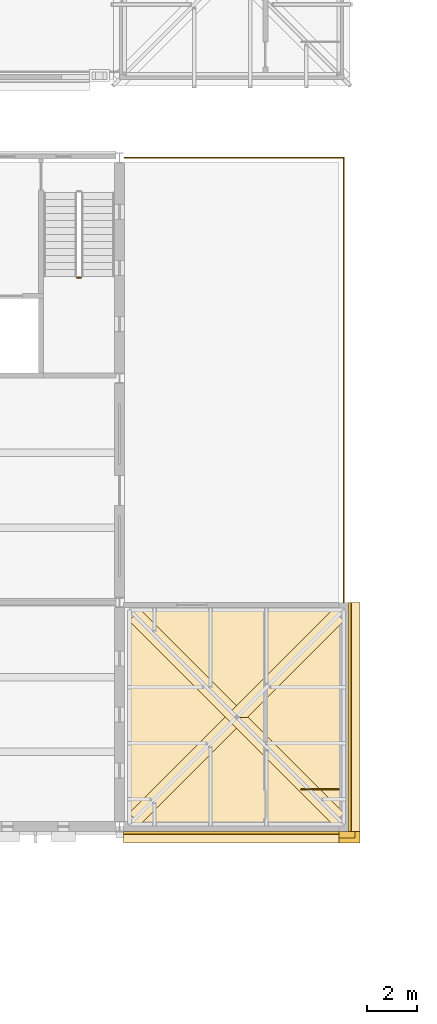
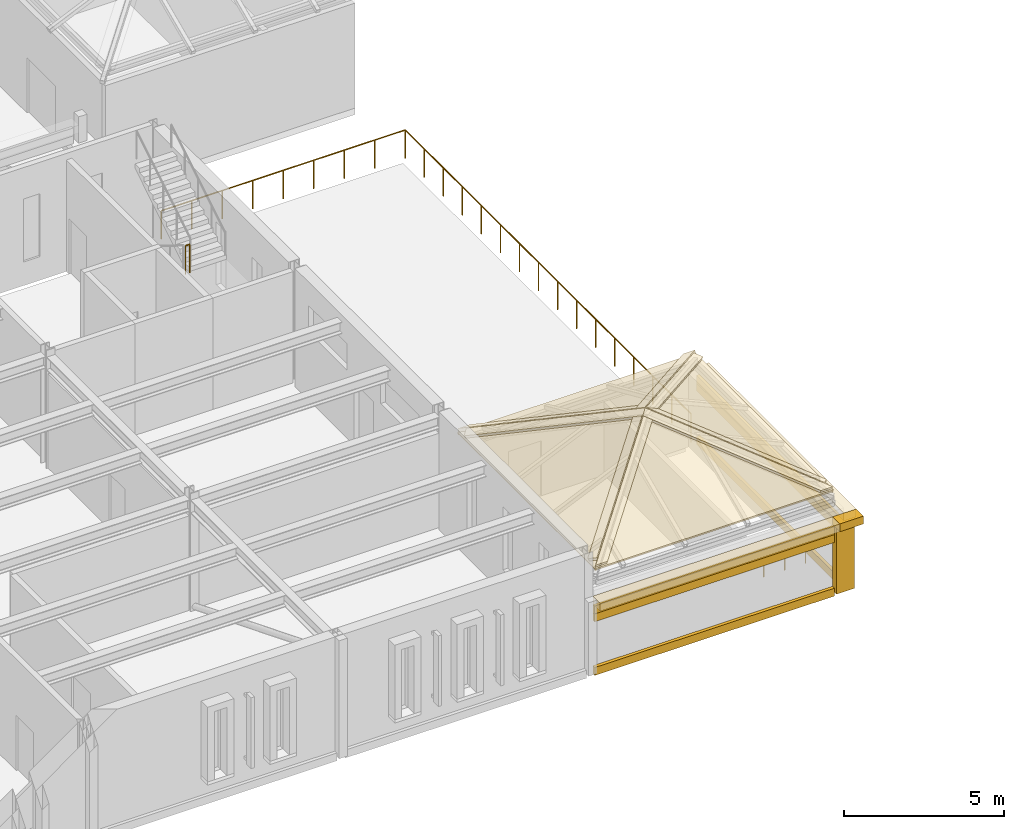
# One storey, part 132 of 149: 22 coverings, 3 railings.
"""IFC4 building model written with IfcOpenShell, lengths in metres."""

from ifc_helpers import new_model, si_unit, direction, frame, origin, origin_2d, place, context, subcontext, project, spatial, polyline, rectangle, circle, outline, extrude, material, layer, layer_set, type_object, element, save


model = new_model("IFC4")

# Units and contexts
model_context = context("Model", 3, precision=1e-05, world=origin(), true_north=direction((0.0, 1.0)))
body_context = subcontext(model_context, "Body", "Model", "MODEL_VIEW")
ifc_project = project(units=[si_unit("LENGTHUNIT", "METRE"), si_unit("AREAUNIT", "SQUARE_METRE"), si_unit("VOLUMEUNIT", "CUBIC_METRE"), si_unit("PLANEANGLEUNIT", "RADIAN"), si_unit("MASSUNIT", "GRAM", prefix="KILO")], contexts=[model_context])

# Site, building, storey
site_placement = place(None, origin())
site = spatial("IfcSite", under=ifc_project, at=site_placement, CompositionType="ELEMENT")
building_placement = place(site_placement, origin())
building = spatial("IfcBuilding", under=site, at=building_placement, Name="Kallimachos Central Library", CompositionType="ELEMENT")
storey_placement = place(building_placement, frame((0.0, 0.0, 9.89990234375)))
storey = spatial("IfcBuildingStorey", under=building, at=storey_placement, Name="L02", CompositionType="ELEMENT", Elevation=9.89990234375)

# Coverings
ifc_material_1 = material(Name="Glazed ceramic hip tile")
ifc_layer_1 = layer(ifc_material_1, 0.1201171875)
ifc_layer_set_1 = layer_set([ifc_layer_1], Name="Ceramic hip tile 300")
covering_type_1 = type_object("IfcCoveringType", Name="Ceramic hip tile 300", PredefinedType="MOLDING", material=ifc_layer_set_1)
covering_1_placement = place(storey_placement, frame((106.214111328125, 22.385986328125, 5.61328125), z_axis=(-9.4155998e-05, -0.406666293302, 0.913576771282), x_axis=(0.674103357562, -0.674827445747, -0.300320798132)))
element("IfcCovering", 1, at=covering_1_placement, inside=storey, type_object=covering_type_1, Name="East stair hipped roof hip tile", PredefinedType="MOLDING", context=body_context, shape_type="SweptSolid", body=[
    extrude(outline(polyline([(0.0, 0.0), (0.31472652451124977, -3.8163916471489756e-17), (0.8622095609715066, -6.014849616539031), (0.5761764468499266, -6.328265424440722), (0.0, 0.0)])), origin(), (0.0, 0.0, -1.0), 0.1201171875),
])
covering_2_placement = place(storey_placement, frame((105.9736328125, 22.626220703125, 5.518798828125), z_axis=(-0.406740044001, 4.082734e-06, 0.913543943437), x_axis=(0.674481847924, -0.674456322073, 0.300304689336)))
element("IfcCovering", 2, at=covering_2_placement, inside=storey, type_object=covering_type_1, Name="East stair hipped roof hip tile", PredefinedType="MOLDING", context=body_context, shape_type="SweptSolid", body=[
    extrude(outline(polyline([(0.0, 0.0), (0.3145618126221105, -6.938893903907228e-18), (-0.23228225968735816, -6.036001485764562), (-0.5258366661125583, -6.035990079369938), (-0.544772817733249, -6.015261027559987), (0.0, 0.0)])), origin(), (0.0, 0.0, -1.0), 0.1201171875),
])
covering_3_placement = place(storey_placement, frame((105.9736328125, 22.173583984375, 5.518798828125), z_axis=(9.4182398e-05, -0.406666268972, 0.91357678211), x_axis=(0.674103357558, 0.674827460984, 0.300320763903)))
element("IfcCovering", 3, at=covering_3_placement, inside=storey, type_object=covering_type_1, Name="East stair hipped roof hip tile", PredefinedType="MOLDING", context=body_context, shape_type="SweptSolid", body=[
    extrude(outline(polyline([(0.0, 0.0), (0.3147265245127464, 4.85722573273506e-17), (-0.26144992233743336, -6.328265424440773), (-0.5473184604425492, -6.015029947844092), (0.0, 0.0)])), origin(), (0.0, 0.0, -1.0), 0.1201171875),
])
covering_4_placement = place(storey_placement, frame((106.214111328125, 22.4140625, 5.61328125), z_axis=(0.406740044001, 4.082734e-06, 0.913543943437), x_axis=(0.674481847924, 0.674456322073, -0.300304689336)))
element("IfcCovering", 4, at=covering_4_placement, inside=storey, type_object=covering_type_1, Name="East stair hipped roof hip tile", PredefinedType="MOLDING", context=body_context, shape_type="SweptSolid", body=[
    extrude(outline(polyline([(0.0, 0.0), (0.3145618126221105, 6.938893903907228e-18), (0.8593346303553596, -6.015261027559988), (0.8403984787346689, -6.035990079369937), (0.5468440723094687, -6.036001485764561), (0.0, 0.0)])), origin(), (0.0, 0.0, -1.0), 0.1201171875),
])
covering_5_placement = place(storey_placement, frame((106.42626953125, 22.626220703125, 5.518798828125), z_axis=(2.580462e-05, 0.406756499333, 0.913536616444), x_axis=(-0.674456321795, -0.674470479349, 0.300330222384)))
element("IfcCovering", 5, at=covering_5_placement, inside=storey, type_object=covering_type_1, Name="East stair hipped roof hip tile", PredefinedType="MOLDING", context=body_context, shape_type="SweptSolid", body=[
    extrude(outline(polyline([(0.0, 0.0), (0.3145618130510048, -4.5102810375396984e-17), (-0.25858993353535675, -6.328540088909747), (-0.5447728161719989, -6.015261027721788), (0.0, 0.0)])), origin(), (0.0, 0.0, -1.0), 0.1201171875),
])
covering_6_placement = place(storey_placement, frame((106.185791015625, 22.385986328125, 5.61328125), z_axis=(-0.406740043111, -4.081502e-06, 0.913543943833), x_axis=(-0.674128853595, -0.674879064823, -0.300147524753)))
element("IfcCovering", 6, at=covering_6_placement, inside=storey, type_object=covering_type_1, Name="East stair hipped roof hip tile", PredefinedType="MOLDING", context=body_context, shape_type="SweptSolid", body=[
    extrude(outline(polyline([(0.0, 0.0), (0.31472652642793286, -2.42861286636753e-17), (0.8558893823295398, -6.0157522058197825), (0.8369413617107394, -6.036470408969934), (0.5433869968981877, -6.036313688599525), (0.0, 0.0)])), origin(), (0.0, 0.0, -1.0), 0.1201171875),
])
covering_7_placement = place(storey_placement, frame((106.185791015625, 22.4140625, 5.61328125), z_axis=(-2.5750812e-05, 0.406756556318, 0.913536591073), x_axis=(-0.673966511688, 0.674878966112, -0.300512099959)))
element("IfcCovering", 7, at=covering_7_placement, inside=storey, type_object=covering_type_1, Name="East stair hipped roof hip tile", PredefinedType="MOLDING", context=body_context, shape_type="SweptSolid", body=[
    extrude(outline(polyline([(0.0, 0.0), (0.27132108965457513, -1.0408340855860843e-17), (0.3145617438703462, 0.00020862226458933514), (0.8631593118877905, -6.014870142559109), (0.5773488063206951, -6.328158573977428), (0.0, 0.0)])), origin(), (0.0, 0.0, -1.0), 0.1201171875),
])
covering_8_placement = place(storey_placement, frame((106.214111328125, 22.385986328125, 5.61328125), z_axis=(0.406740043111, -4.081502e-06, 0.913543943833), x_axis=(0.674490401469, 0.674448756555, -0.300302469366)))
element("IfcCovering", 8, at=covering_8_placement, inside=storey, type_object=covering_type_1, Name="East stair hipped roof hip tile", PredefinedType="MOLDING", context=body_context, shape_type="SweptSolid", body=[
    extrude(outline(polyline([(0.0, 0.0), (6.060722100176845, -6.106226635438361e-16), (6.087197433542541, -0.29235807904853695), (6.068261494332613, -0.3130873248953898), (0.028217479569783, -0.31345902488861477), (0.0, 0.0)])), origin(), (0.0, 0.0, -1.0), 0.1201171875),
])
ifc_material_2 = material(Name="Glazed ceramic frieze, green")
ifc_layer_2 = layer(ifc_material_2, 0.10009765625)
ifc_layer_set_2 = layer_set([ifc_layer_2], Name="Glazed ceramic frieze, green")
covering_type_2 = type_object("IfcCoveringType", Name="Glazed ceramic frieze, green", PredefinedType="CLADDING", material=ifc_layer_set_2)
covering_9_placement = place(storey_placement, frame((110.75, 22.39990234375, 2.18017578125), z_axis=(0.0, 0.0, 1.0), x_axis=(1.0, 0.0, 0.0)))
element("IfcCovering", 9, at=covering_9_placement, inside=storey, type_object=covering_type_2, Name="Glazed ceramic frieze, green -L02-033", PredefinedType="CLADDING", context=body_context, shape_type="SweptSolid", body=[
    extrude(rectangle(XDim=0.10009765625, YDim=9.199951171875, at=origin_2d()), origin(), (0.0, 0.0, 1.0), 0.300048828125),
])
covering_10_placement = place(storey_placement, frame((105.97509765625, 17.75, 2.18017578125), z_axis=(0.0, 0.0, 1.0), x_axis=(1.0, 0.0, 0.0)))
element("IfcCovering", 10, at=covering_10_placement, inside=storey, type_object=covering_type_2, Name="Glazed ceramic frieze, green -L02-034", PredefinedType="CLADDING", context=body_context, shape_type="SweptSolid", body=[
    extrude(rectangle(XDim=8.64990234375, YDim=0.10009765625, at=origin_2d()), origin(), (0.0, 0.0, 1.0), 0.300048828125),
])
ifc_material_3 = material(Name="Glazed ceramic frieze, ochre")
ifc_layer_3 = layer(ifc_material_3, 0.10009765625)
ifc_layer_set_3 = layer_set([ifc_layer_3], Name="Glazed ceramic frieze, ochre")
covering_type_3 = type_object("IfcCoveringType", Name="Glazed ceramic frieze, ochre", PredefinedType="CLADDING", material=ifc_layer_set_3)
covering_11_placement = place(storey_placement, frame((110.75, 22.39990234375, 1.8798828125), z_axis=(0.0, 0.0, 1.0), x_axis=(1.0, 0.0, 0.0)))
element("IfcCovering", 11, at=covering_11_placement, inside=storey, type_object=covering_type_3, Name="Glazed ceramic frieze, ochre -L02-033", PredefinedType="CLADDING", context=body_context, shape_type="SweptSolid", body=[
    extrude(rectangle(XDim=0.10009765625, YDim=9.199951171875, at=origin_2d()), origin(), (0.0, 0.0, 1.0), 0.300048828125),
])
covering_12_placement = place(storey_placement, frame((105.97509765625, 17.75, 1.8798828125), z_axis=(0.0, 0.0, 1.0), x_axis=(1.0, 0.0, 0.0)))
element("IfcCovering", 12, at=covering_12_placement, inside=storey, type_object=covering_type_3, Name="Glazed ceramic frieze, ochre -L02-034", PredefinedType="CLADDING", context=body_context, shape_type="SweptSolid", body=[
    extrude(rectangle(XDim=8.64990234375, YDim=0.10009765625, at=origin_2d()), origin(), (0.0, 0.0, 1.0), 0.300048828125),
])
ifc_material_4 = material(Name="Glazed ceramic tile on deck")
ifc_layer_4 = layer(ifc_material_4, 0.10009765625)
ifc_layer_set_4 = layer_set([ifc_layer_4], Name="Glazed ceramic tile roofing 100")
covering_type_4 = type_object("IfcCoveringType", Name="Glazed ceramic tile roofing 100", PredefinedType="ROOFING", material=ifc_layer_set_4)
covering_13_placement = place(storey_placement, frame((101.89990234375, 18.10009765625, 3.57373046875), z_axis=(0.0, -0.406764018515, 0.91353326882), x_axis=(1.0, 0.0, 0.0)))
element("IfcCovering", 13, at=covering_13_placement, inside=storey, type_object=covering_type_4, Name="East stair hipped roof roofing S", PredefinedType="ROOFING", context=body_context, shape_type="SweptSolid", body=[
    extrude(outline(polyline([(0.0, 0.0), (8.60009765625, 0.0), (4.300048828125, 4.706785000893068), (0.0, 0.0)])), origin(), (0.0, 0.0, -1.0), 0.10009765625),
])
covering_14_placement = place(storey_placement, frame((110.5, 26.699951171875, 3.57373046875), z_axis=(0.0, 0.406744744862, 0.913541850452), x_axis=(-1.0, 0.0, 0.0)))
element("IfcCovering", 14, at=covering_14_placement, inside=storey, type_object=covering_type_4, Name="East stair hipped roof roofing N", PredefinedType="ROOFING", context=body_context, shape_type="SweptSolid", body=[
    extrude(outline(polyline([(0.0, 0.0), (8.60009765625, 0.0), (4.300048828125, 4.707008032523863), (0.0, 0.0)])), origin(), (0.0, 0.0, -1.0), 0.10009765625),
])
covering_15_placement = place(storey_placement, frame((101.89990234375, 18.10009765625, 3.57373046875), z_axis=(-0.406744744862, 0.0, 0.913541850452), x_axis=(0.674487424707, 0.674449129844, 0.300308316843)))
element("IfcCovering", 15, at=covering_15_placement, inside=storey, type_object=covering_type_4, Name="East stair hipped roof roofing W", PredefinedType="ROOFING", context=body_context, shape_type="SweptSolid", body=[
    extrude(outline(polyline([(0.0, 0.0), (6.3752839128066405, -1.1102230246251565e-16), (5.800163720397946, 6.3494551976360265), (0.0, 0.0)])), origin(), (0.0, 0.0, -1.0), 0.10009765625),
])
covering_16_placement = place(storey_placement, frame((110.5, 18.10009765625, 3.57373046875), z_axis=(0.406744744862, 0.0, 0.913541850452), x_axis=(0.0, 1.0, 0.0)))
element("IfcCovering", 16, at=covering_16_placement, inside=storey, type_object=covering_type_4, Name="East stair hipped roof roofing E", PredefinedType="ROOFING", context=body_context, shape_type="SweptSolid", body=[
    extrude(outline(polyline([(0.0, 0.0), (8.599853515625, 0.0), (4.2998046875, 4.707008032523864), (0.0, 0.0)])), origin(), (0.0, 0.0, -1.0), 0.10009765625),
])
ifc_material_5 = material(Name="Pentelic marble attic moulding", Category="masonry")
ifc_layer_5 = layer(ifc_material_5, 0.1201171875)
ifc_layer_set_5 = layer_set([ifc_layer_5], Name="Stone attic moulding 300")
covering_type_5 = type_object("IfcCoveringType", Name="Stone attic moulding 300", PredefinedType="MOLDING", material=ifc_layer_set_5)
covering_17_placement = place(storey_placement, frame((110.760009765625, 22.39990234375, -0.14990234375), z_axis=(0.0, 0.0, 1.0), x_axis=(1.0, 0.0, 0.0)))
element("IfcCovering", 17, at=covering_17_placement, inside=storey, type_object=covering_type_5, Name="Stone attic moulding 300 -L02-033", PredefinedType="MOLDING", context=body_context, shape_type="SweptSolid", body=[
    extrude(rectangle(XDim=0.1201171875, YDim=9.199951171875, at=origin_2d()), origin(), (0.0, 0.0, 1.0), 0.300048828125),
])
covering_18_placement = place(storey_placement, frame((105.97509765625, 17.739990234375, -0.14990234375), z_axis=(0.0, 0.0, 1.0), x_axis=(1.0, 0.0, 0.0)))
element("IfcCovering", 18, at=covering_18_placement, inside=storey, type_object=covering_type_5, Name="Stone attic moulding 300 -L02-034", PredefinedType="MOLDING", context=body_context, shape_type="SweptSolid", body=[
    extrude(rectangle(XDim=8.64990234375, YDim=0.1201171875, at=origin_2d()), origin(), (0.0, 0.0, 1.0), 0.300048828125),
])
ifc_material_6 = material(Name="Pentelic marble cornice", Category="masonry")
ifc_layer_6 = layer(ifc_material_6, 0.449951171875)
ifc_layer_set_6 = layer_set([ifc_layer_6], Name="Stone cornice 450")
covering_type_6 = type_object("IfcCoveringType", Name="Stone cornice 450", PredefinedType="MOLDING", material=ifc_layer_set_6)
covering_19_placement = place(storey_placement, frame((110.925048828125, 22.39990234375, 2.5), z_axis=(0.0, 0.0, 1.0), x_axis=(1.0, 0.0, 0.0)))
element("IfcCovering", 19, at=covering_19_placement, inside=storey, type_object=covering_type_6, Name="Stone cornice 450 -L02-033", PredefinedType="MOLDING", context=body_context, shape_type="SweptSolid", body=[
    extrude(rectangle(XDim=0.449951171875, YDim=9.199951171875, at=origin_2d()), origin(), (0.0, 0.0, 1.0), 0.300048828125),
])
covering_20_placement = place(storey_placement, frame((105.97509765625, 17.574951171875, 2.5), z_axis=(0.0, 0.0, 1.0), x_axis=(1.0, 0.0, 0.0)))
element("IfcCovering", 20, at=covering_20_placement, inside=storey, type_object=covering_type_6, Name="Stone cornice 450 -L02-034", PredefinedType="MOLDING", context=body_context, shape_type="SweptSolid", body=[
    extrude(rectangle(XDim=8.64990234375, YDim=0.449951171875, at=origin_2d()), origin(), (0.0, 0.0, 1.0), 0.300048828125),
])
covering_21_placement = place(storey_placement, frame((110.72509765625, 17.574951171875, 2.5), z_axis=(0.0, 0.0, 1.0), x_axis=(1.0, 0.0, 0.0)))
element("IfcCovering", 21, at=covering_21_placement, inside=storey, type_object=covering_type_6, Name="Stone cornice 450 corner", PredefinedType="MOLDING", context=body_context, shape_type="SweptSolid", body=[
    extrude(rectangle(XDim=0.85009765625, YDim=0.449951171875, at=origin_2d()), origin(), (0.0, 0.0, 1.0), 0.300048828125),
])
ifc_material_7 = material(Name="Pentelic marble pilaster", Category="masonry")
ifc_layer_7 = layer(ifc_material_7, 0.25)
ifc_layer_set_7 = layer_set([ifc_layer_7], Name="Stone pilaster 250")
covering_type_7 = type_object("IfcCoveringType", Name="Stone pilaster 250", PredefinedType="CLADDING", material=ifc_layer_set_7)
covering_22_placement = place(storey_placement, frame((110.625, 17.675048828125, 0.0), z_axis=(0.0, 0.0, 1.0), x_axis=(1.0, 0.0, 0.0)))
element("IfcCovering", 22, at=covering_22_placement, inside=storey, type_object=covering_type_7, Name="Stone pilaster 250 corner", PredefinedType="CLADDING", context=body_context, shape_type="SweptSolid", body=[
    extrude(rectangle(XDim=0.64990234375, YDim=0.25, at=origin_2d()), origin(), (0.0, 0.0, 1.0), 2.5),
])

# Railings
ifc_material_8 = material(Name="Steel S355J2", Category="steel")
railing_type = type_object("IfcRailingType", Name="Wrought-iron guard 1100", PredefinedType="GUARDRAIL", material=ifc_material_8)
railing_1_placement = place(storey_placement, frame((99.800048828125, 40.0400390625, 2.25)))
element("IfcRailing", 23, at=railing_1_placement, inside=storey, type_object=railing_type, Name="L02 ST14 stair guard 2", PredefinedType="GUARDRAIL", context=body_context, shape_type="SweptSolid", body=[
    extrude(circle(Radius=0.02392578125, at=origin_2d()), frame((0.0, 0.0, 1.076171875), z_axis=(1.0, 0.0, 0.0), x_axis=(0.0, 1.0, 0.0)), (0.0, 0.0, 1.0), 0.14990234375),
    extrude(circle(Radius=0.02099609375, at=origin_2d()), origin(), (0.0, 0.0, 1.0), 1.052001953125),
    extrude(circle(Radius=0.02099609375, at=origin_2d()), frame((0.14990234375, 0.0, 0.0)), (0.0, 0.0, 1.0), 1.052001953125),
])
railing_2_placement = place(storey_placement, frame((110.300048828125, 19.5, 0.0)))
element("IfcRailing", 24, at=railing_2_placement, inside=storey, type_object=railing_type, Name="L02 ST16 top well guard 1", PredefinedType="GUARDRAIL", context=body_context, shape_type="SweptSolid", body=[
    extrude(circle(Radius=0.02392578125, at=origin_2d()), frame((0.0, 0.0, 1.076171875), z_axis=(-1.0, 0.0, 0.0), x_axis=(0.0, -1.0, 0.0)), (0.0, 0.0, 1.0), 1.5),
    extrude(circle(Radius=0.02099609375, at=origin_2d()), origin(), (0.0, 0.0, 1.0), 1.052001953125),
    extrude(circle(Radius=0.02099609375, at=origin_2d()), frame((-0.75, 0.0, 0.0)), (0.0, 0.0, 1.0), 1.052001953125),
    extrude(circle(Radius=0.02099609375, at=origin_2d()), frame((-1.5, 0.0, 0.0)), (0.0, 0.0, 1.0), 1.052001953125),
])
railing_3_placement = place(storey_placement, frame((101.699951171875, 44.85009765625, 0.0)))
element("IfcRailing", 25, at=railing_3_placement, inside=storey, type_object=railing_type, Name="East roof garden guard", PredefinedType="GUARDRAIL", context=body_context, shape_type="SweptSolid", body=[
    extrude(circle(Radius=0.02392578125, at=origin_2d()), frame((0.0, 0.0, 1.076171875), z_axis=(1.0, 0.0, 0.0), x_axis=(0.0, 1.0, 0.0)), (0.0, 0.0, 1.0), 8.800048828125),
    extrude(circle(Radius=0.02392578125, at=origin_2d()), frame((8.800048828125, 0.0, 1.076171875), z_axis=(0.0, -1.0, 0.0), x_axis=(1.0, 0.0, 0.0)), (0.0, 0.0, 1.0), 17.85009765625),
    extrude(circle(Radius=0.02099609375, at=origin_2d()), origin(), (0.0, 0.0, 1.0), 1.052001953125),
    extrude(circle(Radius=0.02099609375, at=origin_2d()), frame((1.10009765625, 0.0, 0.0)), (0.0, 0.0, 1.0), 1.052001953125),
    extrude(circle(Radius=0.02099609375, at=origin_2d()), frame((2.199951171875, 0.0, 0.0)), (0.0, 0.0, 1.0), 1.052001953125),
    extrude(circle(Radius=0.02099609375, at=origin_2d()), frame((3.300048828125, 0.0, 0.0)), (0.0, 0.0, 1.0), 1.052001953125),
    extrude(circle(Radius=0.02099609375, at=origin_2d()), frame((4.39990234375, 0.0, 0.0)), (0.0, 0.0, 1.0), 1.052001953125),
    extrude(circle(Radius=0.02099609375, at=origin_2d()), frame((5.5, 0.0, 0.0)), (0.0, 0.0, 1.0), 1.052001953125),
    extrude(circle(Radius=0.02099609375, at=origin_2d()), frame((6.60009765625, 0.0, 0.0)), (0.0, 0.0, 1.0), 1.052001953125),
    extrude(circle(Radius=0.02099609375, at=origin_2d()), frame((7.699951171875, 0.0, 0.0)), (0.0, 0.0, 1.0), 1.052001953125),
    extrude(circle(Radius=0.02099609375, at=origin_2d()), frame((8.800048828125, 0.0, 0.0)), (0.0, 0.0, 1.0), 1.052001953125),
    extrude(circle(Radius=0.02099609375, at=origin_2d()), frame((8.800048828125, -1.18994140625, 0.0)), (0.0, 0.0, 1.0), 1.052001953125),
    extrude(circle(Radius=0.02099609375, at=origin_2d()), frame((8.800048828125, -2.380126953125, 0.0)), (0.0, 0.0, 1.0), 1.052001953125),
    extrude(circle(Radius=0.02099609375, at=origin_2d()), frame((8.800048828125, -3.570068359375, 0.0)), (0.0, 0.0, 1.0), 1.052001953125),
    extrude(circle(Radius=0.02099609375, at=origin_2d()), frame((8.800048828125, -4.760009765625, 0.0)), (0.0, 0.0, 1.0), 1.052001953125),
    extrude(circle(Radius=0.02099609375, at=origin_2d()), frame((8.800048828125, -5.949951171875, 0.0)), (0.0, 0.0, 1.0), 1.052001953125),
    extrude(circle(Radius=0.02099609375, at=origin_2d()), frame((8.800048828125, -7.14013671875, 0.0)), (0.0, 0.0, 1.0), 1.052001953125),
    extrude(circle(Radius=0.02099609375, at=origin_2d()), frame((8.800048828125, -8.330078125, 0.0)), (0.0, 0.0, 1.0), 1.052001953125),
    extrude(circle(Radius=0.02099609375, at=origin_2d()), frame((8.800048828125, -9.52001953125, 0.0)), (0.0, 0.0, 1.0), 1.052001953125),
    extrude(circle(Radius=0.02099609375, at=origin_2d()), frame((8.800048828125, -10.7099609375, 0.0)), (0.0, 0.0, 1.0), 1.052001953125),
    extrude(circle(Radius=0.02099609375, at=origin_2d()), frame((8.800048828125, -11.900146484375, 0.0)), (0.0, 0.0, 1.0), 1.052001953125),
    extrude(circle(Radius=0.02099609375, at=origin_2d()), frame((8.800048828125, -13.090087890625, 0.0)), (0.0, 0.0, 1.0), 1.052001953125),
    extrude(circle(Radius=0.02099609375, at=origin_2d()), frame((8.800048828125, -14.280029296875, 0.0)), (0.0, 0.0, 1.0), 1.052001953125),
    extrude(circle(Radius=0.02099609375, at=origin_2d()), frame((8.800048828125, -15.469970703125, 0.0)), (0.0, 0.0, 1.0), 1.052001953125),
    extrude(circle(Radius=0.02099609375, at=origin_2d()), frame((8.800048828125, -16.66015625, 0.0)), (0.0, 0.0, 1.0), 1.052001953125),
    extrude(circle(Radius=0.02099609375, at=origin_2d()), frame((8.800048828125, -17.85009765625, 0.0)), (0.0, 0.0, 1.0), 1.052001953125),
])

save(model, "model.ifc")
